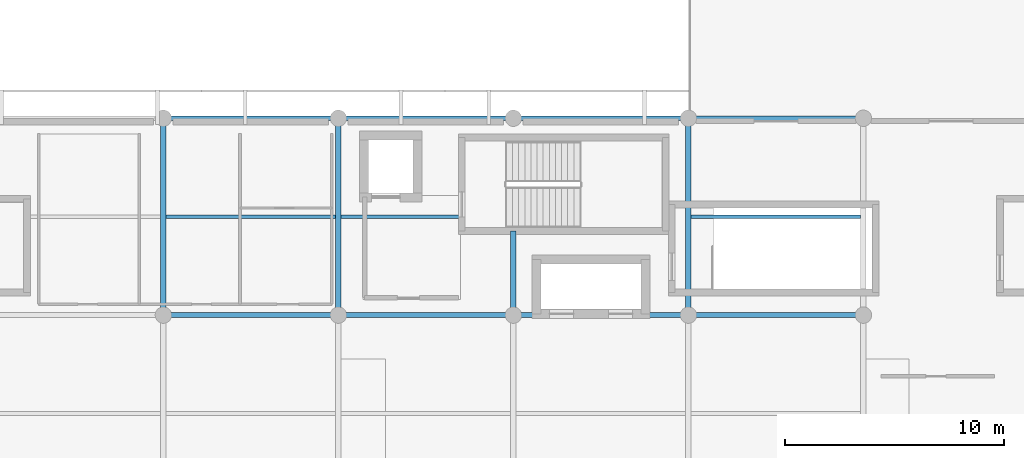
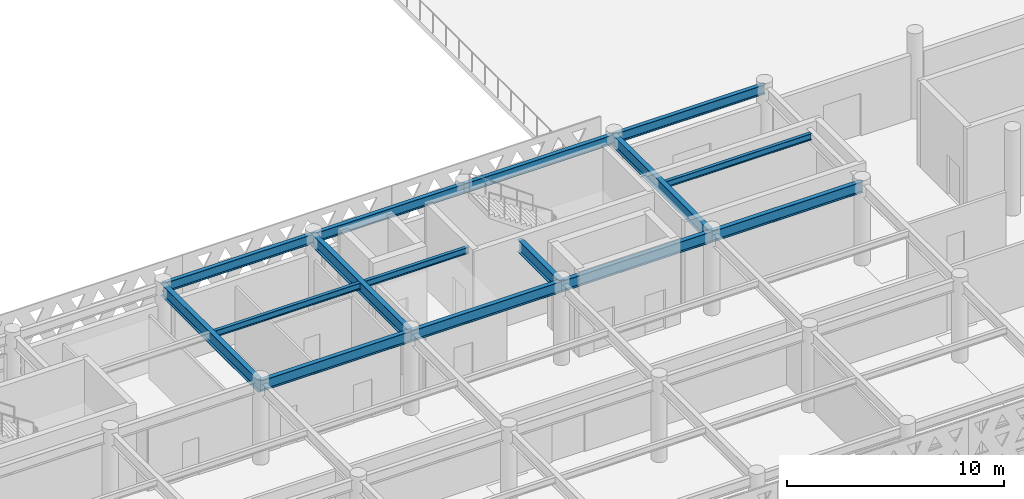
# One storey, part 12 of 33: 15 beams.
"""IFC4 building model written with IfcOpenShell, lengths in metres."""

import ifcopenshell
import ifcopenshell.guid

model = None  # the IFC model being written
_history = None  # IfcOwnerHistory: only IFC2X3 demands one
_inside = {}  # id of a spatial element -> (the spatial element, [elements in it])
_under = {}  # id of a project, library or spatial element -> (it, [spatial elements below it])
_declared = {}  # id of a project -> (the project, [libraries it declares])
_typed = {}  # id of a type object -> (the type object, [elements of that type])
_made_of = {}  # id of a material, layer set ... -> (it, [elements and type objects made of it])


def new_model(schema):
    """Start an empty IFC model of exactly this schema.

    Asked for "IFC4X3", IfcOpenShell would pick the latest addendum, in which some entities
    have other attributes; the version numbers below select the first issue.
    IFC2X3 requires an IfcOwnerHistory on every rooted entity: one is made here for all.
    """
    global model, _history
    if schema == "IFC4X3":
        model = ifcopenshell.file(schema_version=(4, 3, 0, 0))
    else:
        model = ifcopenshell.file(schema=schema)
    _inside.clear()
    _under.clear()
    _declared.clear()
    _typed.clear()
    _made_of.clear()
    _history = None
    if model.schema == "IFC2X3":
        org = make("IfcOrganization", Name="unknown")
        user = make(
            "IfcPersonAndOrganization",
            ThePerson=make("IfcPerson", FamilyName="unknown"),
            TheOrganization=org,
        )
        app = make(
            "IfcApplication",
            ApplicationDeveloper=org,
            Version="unknown",
            ApplicationFullName="unknown",
            ApplicationIdentifier="unknown",
        )
        _history = make(
            "IfcOwnerHistory",
            OwningUser=user,
            OwningApplication=app,
            ChangeAction="ADDED",
            CreationDate=0,
        )
    return model


def make(cls, **values):
    """One entity of the class cls with the attributes given. An attribute that is None is left unset."""
    return model.create_entity(
        cls, **{name: value for name, value in values.items() if value is not None}
    )


def rooted(cls, **values):
    """An entity with a GlobalId (a new one), such as an element, a storey or a relation."""
    return make(cls, GlobalId=ifcopenshell.guid.new(), OwnerHistory=_history, **values)


def si_unit(unit_type, name, prefix=None):
    """IfcSIUnit, for example si_unit("LENGTHUNIT", "METRE", prefix="MILLI")."""
    return make("IfcSIUnit", UnitType=unit_type, Prefix=prefix, Name=name)


def assignment(units):
    """IfcUnitAssignment: the units of a project."""
    return None if units is None else make("IfcUnitAssignment", Units=units)


def point(xyz):
    """IfcCartesianPoint."""
    return None if xyz is None else make("IfcCartesianPoint", Coordinates=xyz)


def direction(xyz):
    """IfcDirection."""
    return None if xyz is None else make("IfcDirection", DirectionRatios=xyz)


def frame(location, z_axis=None, x_axis=None):
    """IfcAxis2Placement3D, a coordinate frame: its origin and axes. An axis left out is left unset."""
    return make(
        "IfcAxis2Placement3D",
        Location=point(location),
        Axis=direction(z_axis),
        RefDirection=direction(x_axis),
    )


def frame_2d(location, x_axis=None):
    """IfcAxis2Placement2D, a coordinate frame in the plane: its origin and x axis."""
    return make(
        "IfcAxis2Placement2D", Location=point(location), RefDirection=direction(x_axis)
    )


def origin():
    """The frame at (0, 0, 0) with its axes left unset."""
    return frame((0.0, 0.0, 0.0))


def origin_2d():
    """The frame at (0, 0) in the plane with its x axis left unset."""
    return frame_2d((0.0, 0.0))


def place(relative_to, where):
    """IfcLocalPlacement: puts the frame where relative to a parent placement (None: the world)."""
    return make(
        "IfcLocalPlacement", PlacementRelTo=relative_to, RelativePlacement=where
    )


def context(
    kind, dimensions, precision=None, world=None, true_north=None, identifier=None
):
    """IfcGeometricRepresentationContext, for example the 3D "Model" context."""
    return make(
        "IfcGeometricRepresentationContext",
        ContextIdentifier=identifier,
        ContextType=kind,
        CoordinateSpaceDimension=dimensions,
        Precision=precision,
        WorldCoordinateSystem=world,
        TrueNorth=true_north,
    )


def subcontext(parent, identifier, kind, view, scale=None):
    """IfcGeometricRepresentationSubContext, for example "Body" below "Model"."""
    return make(
        "IfcGeometricRepresentationSubContext",
        ContextIdentifier=identifier,
        ContextType=kind,
        ParentContext=parent,
        TargetScale=scale,
        TargetView=view,
    )


def project(units=None, contexts=None):
    """IfcProject with its units and contexts."""
    return rooted(
        "IfcProject",
        Name="project",
        RepresentationContexts=contexts,
        UnitsInContext=assignment(units),
    )


def spatial(cls, under=None, at=None, **own):
    """A site, building, storey or space (cls), placed at a placement, below another one or the project."""
    s = rooted(cls, ObjectPlacement=at, **own)
    if under is not None:
        _under.setdefault(under.id(), (under, []))[1].append(s)
    return s


def profile(cls, at=None, kind="AREA", **sizes):
    """A parametric profile (cls). Its sizes go by their IFC names, for example OverallWidth=200.0."""
    return make(cls, ProfileType=kind, Position=at, **sizes)


def i_section(**sizes):
    """IfcIShapeProfileDef."""
    return profile("IfcIShapeProfileDef", **sizes)


def extrude(swept, where, along, depth):
    """IfcExtrudedAreaSolid: the profile swept, set in the frame where, extruded along a direction by depth."""
    return make(
        "IfcExtrudedAreaSolid",
        SweptArea=swept,
        Position=where,
        ExtrudedDirection=direction(along),
        Depth=depth,
    )


def shape(context_of_items, identifier, shape_type, items):
    """IfcShapeRepresentation: the items that make up one representation, for example the "Body"."""
    return make(
        "IfcShapeRepresentation",
        ContextOfItems=context_of_items,
        RepresentationIdentifier=identifier,
        RepresentationType=shape_type,
        Items=items,
    )


def material(Name=None, Category=None):
    """IfcMaterial."""
    return make("IfcMaterial", Name=Name, Category=Category)


def material_profile(
    of_material, cross_section, Name=None, Category=None, Priority=None
):
    """IfcMaterialProfile: a cross section and its material."""
    return make(
        "IfcMaterialProfile",
        Name=Name,
        Material=of_material,
        Profile=cross_section,
        Priority=Priority,
        Category=Category,
    )


def profile_set(profiles, Name=None, composite=None):
    """IfcMaterialProfileSet."""
    return make(
        "IfcMaterialProfileSet",
        Name=Name,
        MaterialProfiles=profiles,
        CompositeProfile=composite,
    )


def made_of(thing, what):
    """Note that an element or type object is made of a material, layer set ...; save() writes the relation."""
    if what is not None:
        _made_of.setdefault(what.id(), (what, []))[1].append(thing)
    return thing


def type_object(cls, material=None, **own):
    """A type object (cls), such as IfcWallType, which elements share."""
    return made_of(rooted(cls, **own), material)


def element(
    cls,
    number,
    at=None,
    inside=None,
    cuts=None,
    type_object=None,
    material=None,
    context=None,
    identifier="Body",
    shape_type=None,
    held_by="IfcProductDefinitionShape",
    body=None,
    shapes=None,
    **own,
):
    """One element of the class cls, such as IfcWall. Its Tag is "e" and its number.

    at: its placement. inside: the storey or other place that contains it. cuts: it is an
    opening in that element (IfcRelVoidsElement). A single representation is given by context,
    identifier, shape_type and body (its items); several are given by shapes. held_by: the class
    of the entity that holds the representations. save() writes the other relations.
    """
    e = rooted(cls, Tag="e%d" % number, ObjectPlacement=at, **own)
    if body is not None:
        shapes = [shape(context, identifier, shape_type, body)]
    if shapes is not None:
        e.Representation = make(held_by, Representations=shapes)
    if inside is not None:
        _inside.setdefault(inside.id(), (inside, []))[1].append(e)
    if cuts is not None:
        rooted(
            "IfcRelVoidsElement", RelatingBuildingElement=cuts, RelatedOpeningElement=e
        )
    if type_object is not None:
        _typed.setdefault(type_object.id(), (type_object, []))[1].append(e)
    return made_of(e, material)


def aggregate(whole, parts):
    """IfcRelAggregates: a whole, such as a stair, and the parts it consists of."""
    return rooted("IfcRelAggregates", RelatingObject=whole, RelatedObjects=parts)


def save(model, path):
    """Write the relations noted so far, then the file.

    IfcRelAggregates (storeys below a building ...), IfcRelContainedInSpatialStructure (elements
    in a storey), IfcRelDefinesByType, IfcRelAssociatesMaterial and IfcRelDeclares: one each for
    every whole, place, type object, material and project.
    """
    for whole, parts in _under.values():
        aggregate(whole, parts)
    for where, things in _inside.values():
        rooted(
            "IfcRelContainedInSpatialStructure",
            RelatedElements=things,
            RelatingStructure=where,
        )
    for kind, things in _typed.values():
        rooted("IfcRelDefinesByType", RelatedObjects=things, RelatingType=kind)
    for what, things in _made_of.values():
        rooted("IfcRelAssociatesMaterial", RelatedObjects=things, RelatingMaterial=what)
    for by, libraries in _declared.values():
        rooted("IfcRelDeclares", RelatingContext=by, RelatedDefinitions=libraries)
    model.write(path)


model = new_model("IFC4")

# Units and contexts
model_context = context("Model", 3, precision=1e-05, world=origin(), true_north=direction((0.0, 1.0)))
body_context = subcontext(model_context, "Body", "Model", "MODEL_VIEW")
ifc_project = project(units=[si_unit("LENGTHUNIT", "METRE"), si_unit("AREAUNIT", "SQUARE_METRE"), si_unit("VOLUMEUNIT", "CUBIC_METRE"), si_unit("PLANEANGLEUNIT", "RADIAN"), si_unit("MASSUNIT", "GRAM", prefix="KILO")], contexts=[model_context])

# Site, building, storey
site_placement = place(None, origin())
site = spatial("IfcSite", under=ifc_project, at=site_placement, CompositionType="ELEMENT")
building_placement = place(site_placement, origin())
building = spatial("IfcBuilding", under=site, at=building_placement, Name="Tlacozan Convention Centre", CompositionType="ELEMENT")
storey_placement = place(building_placement, frame((0.0, 0.0, 16.199951171875)))
storey = spatial("IfcBuildingStorey", under=building, at=storey_placement, Name="L03", CompositionType="ELEMENT", Elevation=16.199951171875)

# Beams
ifc_material = material(Name="Steel ASTM A992 Grade 50", Category="steel")
ifc_material_profile_1 = material_profile(ifc_material, i_section(OverallWidth=0.22900390625, OverallDepth=0.612060546875, WebThickness=0.011962890625, FlangeThickness=0.01953125, FilletRadius=0.012939453125, at=origin_2d()), Name="IR 610x125.0")
ifc_profile_set_1 = profile_set([ifc_material_profile_1], Name="Steel ASTM A992 Grade 50")
beam_type_1 = type_object("IfcBeamType", Name="Floor Beam IR 610x125", PredefinedType="BEAM", material=ifc_profile_set_1)
for number, where, z_axis, x_axis, name in (
    (1, (64.0, 18.0, 4.254150390625), (1.0, 0.0, 0.0), (0.0, 1.0, 0.0), "L03 Floor Beam IR 610x125 606"),
    (2, (72.0, 18.0, 4.254150390625), (1.0, 0.0, 0.0), (0.0, 1.0, 0.0), "L03 Floor Beam IR 610x125 610"),
    (3, (80.0, 18.0, 4.254150390625), (1.0, 0.0, 0.0), (0.0, 1.0, 0.0), "L03 Floor Beam IR 610x125 614"),
    (4, (88.0, 18.0, 4.254150390625), (1.0, 0.0, 0.0), (0.0, 1.0, 0.0), "L03 Floor Beam IR 610x125 618"),
):
    element("IfcBeam", number, at=place(storey_placement, frame(where, z_axis=z_axis, x_axis=x_axis)), inside=storey, type_object=beam_type_1, Name=name, PredefinedType="BEAM", context=body_context, shape_type="SweptSolid", body=[
        extrude(i_section(OverallWidth=0.22900390625, OverallDepth=0.612060546875, WebThickness=0.011962890625, FlangeThickness=0.01953125, FilletRadius=0.012939453125, at=origin_2d()), origin(), (0.0, 0.0, 1.0), 8.0),
    ])
ifc_material_profile_2 = material_profile(ifc_material, i_section(OverallWidth=0.256103515625, OverallDepth=0.693115234375, WebThickness=0.014404296875, FlangeThickness=0.023681640625, FilletRadius=0.014892578125, at=origin_2d()), Name="IR 686x170.0")
ifc_profile_set_2 = profile_set([ifc_material_profile_2], Name="Steel ASTM A992 Grade 50")
beam_type_2 = type_object("IfcBeamType", Name="Girder Steel IR 686x170", PredefinedType="BEAM", material=ifc_profile_set_2)
for number, where, z_axis, x_axis, name in (
    (5, (64.0, 18.0, 4.213623046875), (0.0, 1.0, 0.0), (-1.0, 0.0, 0.0), "L03 Girder Steel IR 686x170 560"),
    (6, (72.0, 18.0, 4.213623046875), (0.0, 1.0, 0.0), (-1.0, 0.0, 0.0), "L03 Girder Steel IR 686x170 563"),
):
    element("IfcBeam", number, at=place(storey_placement, frame(where, z_axis=z_axis, x_axis=x_axis)), inside=storey, type_object=beam_type_2, Name=name, PredefinedType="BEAM", context=body_context, shape_type="SweptSolid", body=[
        extrude(i_section(OverallWidth=0.256103515625, OverallDepth=0.693115234375, WebThickness=0.014404296875, FlangeThickness=0.023681640625, FilletRadius=0.014892578125, at=origin_2d()), origin(), (0.0, 0.0, 1.0), 9.0),
    ])
beam_1_placement = place(storey_placement, frame((80.0, 18.0, 4.213623046875), z_axis=(0.0, 1.0, 0.0), x_axis=(-1.0, 0.0, 0.0)))
element("IfcBeam", 7, at=beam_1_placement, inside=storey, type_object=beam_type_2, Name="L03 Girder Steel IR 686x170 566", PredefinedType="BEAM", context=body_context, shape_type="SweptSolid", body=[
    extrude(i_section(OverallWidth=0.256103515625, OverallDepth=0.693115234375, WebThickness=0.014404296875, FlangeThickness=0.023681640625, FilletRadius=0.014892578125, at=origin_2d()), origin(), (0.0, 0.0, 1.0), 3.840087890625),
])
beam_2_placement = place(storey_placement, frame((88.0, 18.0, 4.213623046875), z_axis=(0.0, 1.0, 0.0), x_axis=(-1.0, 0.0, 0.0)))
element("IfcBeam", 8, at=beam_2_placement, inside=storey, type_object=beam_type_2, Name="L03 Girder Steel IR 686x170 569", PredefinedType="BEAM", context=body_context, shape_type="SweptSolid", body=[
    extrude(i_section(OverallWidth=0.256103515625, OverallDepth=0.693115234375, WebThickness=0.014404296875, FlangeThickness=0.023681640625, FilletRadius=0.014892578125, at=origin_2d()), origin(), (0.0, 0.0, 1.0), 9.0),
])
ifc_material_profile_3 = material_profile(ifc_material, i_section(OverallWidth=0.2109375, OverallDepth=0.5390625, WebThickness=0.01171875, FlangeThickness=0.018798828125, FilletRadius=0.012939453125, at=origin_2d()), Name="IR 533x109.0")
ifc_profile_set_3 = profile_set([ifc_material_profile_3], Name="Steel ASTM A992 Grade 50")
beam_type_3 = type_object("IfcBeamType", Name="Perimeter Spandrel IR 533x109", PredefinedType="SPANDREL", material=ifc_profile_set_3)
for number, where, z_axis, x_axis, name in (
    (9, (64.0, 27.0, 4.29052734375), (1.0, 0.0, 0.0), (0.0, 1.0, 0.0), "L03 Perimeter Spandrel IR 533x109 607"),
    (10, (72.0, 27.0, 4.29052734375), (1.0, 0.0, 0.0), (0.0, 1.0, 0.0), "L03 Perimeter Spandrel IR 533x109 611"),
    (11, (80.0, 27.0, 4.29052734375), (1.0, 0.0, 0.0), (0.0, 1.0, 0.0), "L03 Perimeter Spandrel IR 533x109 615"),
    (12, (88.0, 27.0, 4.29052734375), (1.0, 0.0, 0.0), (0.0, 1.0, 0.0), "L03 Perimeter Spandrel IR 533x109 619"),
):
    element("IfcBeam", number, at=place(storey_placement, frame(where, z_axis=z_axis, x_axis=x_axis)), inside=storey, type_object=beam_type_3, Name=name, PredefinedType="SPANDREL", context=body_context, shape_type="SweptSolid", body=[
        extrude(i_section(OverallWidth=0.2109375, OverallDepth=0.5390625, WebThickness=0.01171875, FlangeThickness=0.018798828125, FilletRadius=0.012939453125, at=origin_2d()), origin(), (0.0, 0.0, 1.0), 8.0),
    ])
ifc_material_profile_4 = material_profile(ifc_material, i_section(OverallWidth=0.173095703125, OverallDepth=0.364013671875, WebThickness=0.009033203125, FlangeThickness=0.015625, FilletRadius=0.010009765625, at=origin_2d()), Name="IR 356x67.1")
ifc_profile_set_4 = profile_set([ifc_material_profile_4], Name="Steel ASTM A992 Grade 50")
beam_type_4 = type_object("IfcBeamType", Name="Secondary Joist IR 356x67.1", PredefinedType="JOIST", material=ifc_profile_set_4)
beam_3_placement = place(storey_placement, frame((64.1259765625, 22.5, 4.3779296875), z_axis=(1.0, 0.0, 0.0), x_axis=(0.0, 1.0, 0.0)))
element("IfcBeam", 13, at=beam_3_placement, inside=storey, type_object=beam_type_4, Name="L03 Secondary Joist IR 356x67.1 641", PredefinedType="JOIST", context=body_context, shape_type="SweptSolid", body=[
    extrude(i_section(OverallWidth=0.173095703125, OverallDepth=0.364013671875, WebThickness=0.009033203125, FlangeThickness=0.015625, FilletRadius=0.010009765625, at=origin_2d()), origin(), (0.0, 0.0, 1.0), 7.748046875),
])
beam_4_placement = place(storey_placement, frame((72.1259765625, 22.5, 4.3779296875), z_axis=(1.0, 0.0, 0.0), x_axis=(0.0, 1.0, 0.0)))
element("IfcBeam", 14, at=beam_4_placement, inside=storey, type_object=beam_type_4, Name="L03 Secondary Joist IR 356x67.1 644", PredefinedType="JOIST", context=body_context, shape_type="SweptSolid", body=[
    extrude(i_section(OverallWidth=0.173095703125, OverallDepth=0.364013671875, WebThickness=0.009033203125, FlangeThickness=0.015625, FilletRadius=0.010009765625, at=origin_2d()), origin(), (0.0, 0.0, 1.0), 5.513916015625),
])
beam_5_placement = place(storey_placement, frame((88.1259765625, 22.5, 4.3779296875), z_axis=(1.0, 0.0, 0.0), x_axis=(0.0, 1.0, 0.0)))
element("IfcBeam", 15, at=beam_5_placement, inside=storey, type_object=beam_type_4, Name="L03 Secondary Joist IR 356x67.1 649", PredefinedType="JOIST", context=body_context, shape_type="SweptSolid", body=[
    extrude(i_section(OverallWidth=0.173095703125, OverallDepth=0.364013671875, WebThickness=0.009033203125, FlangeThickness=0.015625, FilletRadius=0.010009765625, at=origin_2d()), origin(), (0.0, 0.0, 1.0), 7.748046875),
])

save(model, "model.ifc")
